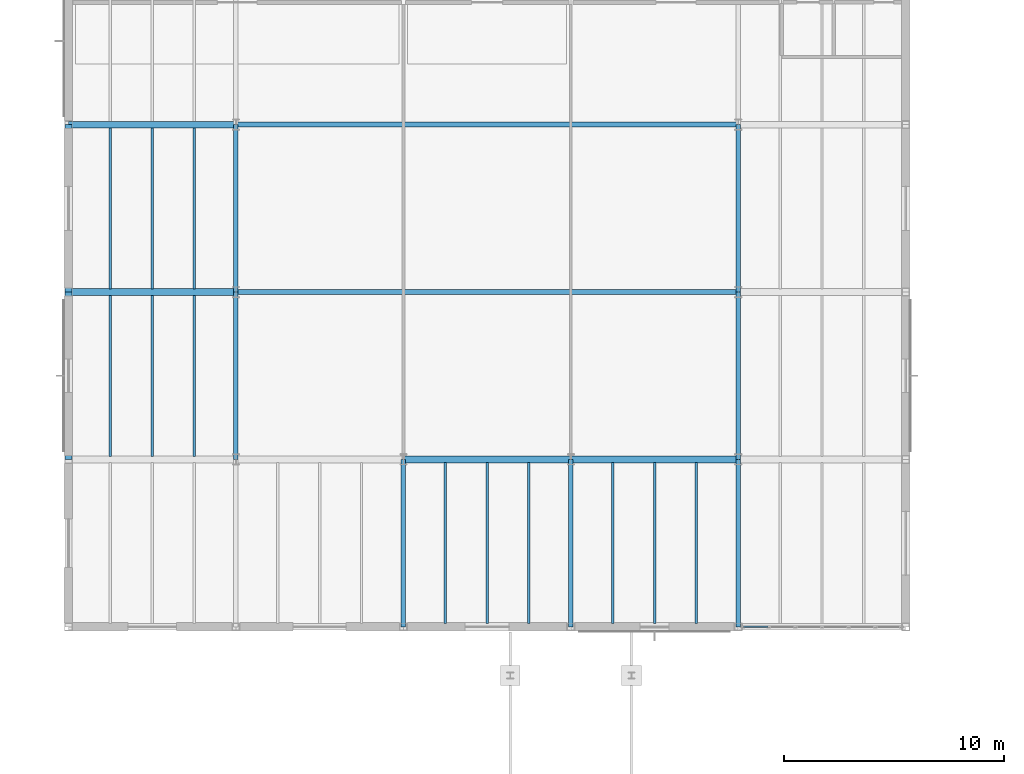
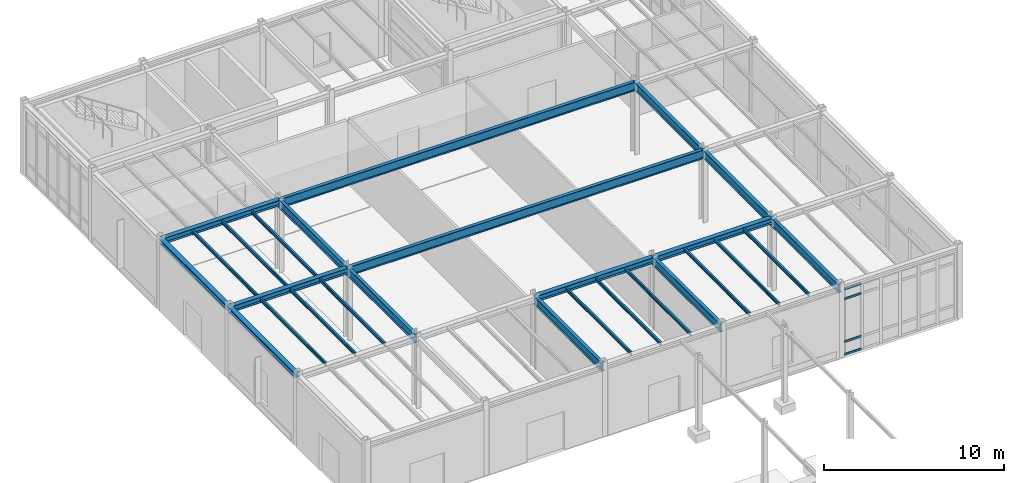
# One storey, part 48 of 109: 27 beams, 4 members, 1 element without a shape of its own.
"""IFC4 building model written with IfcOpenShell, lengths in metres."""

from ifc_helpers import new_model, si_unit, direction, frame, origin, origin_2d, place, context, subcontext, project, spatial, hollow_rectangle, i_section, extrude, material, layer, layer_set, material_profile, profile_set, type_object, element, aggregate, save


model = new_model("IFC4")

# Units and contexts
model_context = context("Model", 3, precision=1e-05, world=origin(), true_north=direction((0.0, 1.0)))
body_context = subcontext(model_context, "Body", "Model", "MODEL_VIEW")
ifc_project = project(units=[si_unit("LENGTHUNIT", "METRE"), si_unit("AREAUNIT", "SQUARE_METRE"), si_unit("VOLUMEUNIT", "CUBIC_METRE"), si_unit("PLANEANGLEUNIT", "RADIAN"), si_unit("MASSUNIT", "GRAM", prefix="KILO")], contexts=[model_context])

# Site, building, storey
site_placement = place(None, origin())
site = spatial("IfcSite", under=ifc_project, at=site_placement, CompositionType="ELEMENT")
building_placement = place(site_placement, origin())
building = spatial("IfcBuilding", under=site, at=building_placement, Name="Montecoro Central Library", CompositionType="ELEMENT")
storey_placement = place(building_placement, origin())
storey = spatial("IfcBuildingStorey", under=building, at=storey_placement, Name="L00", CompositionType="ELEMENT", Elevation=0.0)

# Beams
ifc_material_1 = material(Name="Steel S355", Category="steel")
ifc_material_profile_1 = material_profile(ifc_material_1, i_section(OverallWidth=0.300048828125, OverallDepth=0.389892578125, WebThickness=0.010986328125, FlangeThickness=0.01904296875, at=origin_2d()), Name="HEA 400")
ifc_profile_set_1 = profile_set([ifc_material_profile_1], Name="Steel S355")
beam_type_1 = type_object("IfcBeamType", Name="BM-G-HEA400", PredefinedType="USERDEFINED", material=ifc_profile_set_1)
beam_placement = place(storey_placement, frame((20.205078125, 81.0, 4.64990234375), z_axis=(1.0, 0.0, 0.0), x_axis=(0.0, 1.0, 0.0)))
element("IfcBeam", 1, at=beam_placement, inside=storey, type_object=beam_type_1, Name="V4-L00-BX-34-L", ObjectType="GIRDER", PredefinedType="USERDEFINED", context=body_context, shape_type="SweptSolid", body=[
    extrude(i_section(OverallWidth=0.300048828125, OverallDepth=0.389892578125, WebThickness=0.010986328125, FlangeThickness=0.01904296875, at=origin_2d()), origin(), (0.0, 0.0, 1.0), 7.58984375),
])
for number, where, z_axis, x_axis, name in (
    (2, (27.804931640625, 81.0, 4.64990234375), (1.0, 0.0, 0.0), (0.0, 1.0, 0.0), "V4-L00-BX-45-L"),
    (3, (5.0048828125, 88.60009765625, 4.64990234375), (1.0, 0.0, 0.0), (0.0, 1.0, 0.0), "V4-L00-BX-12-M"),
    (4, (5.0048828125, 96.199951171875, 4.64990234375), (1.0, 0.0, 0.0), (0.0, 1.0, 0.0), "V4-L00-BX-12-N"),
):
    element("IfcBeam", number, at=place(storey_placement, frame(where, z_axis=z_axis, x_axis=x_axis)), inside=storey, type_object=beam_type_1, Name=name, ObjectType="GIRDER", PredefinedType="USERDEFINED", context=body_context, shape_type="SweptSolid", body=[
        extrude(i_section(OverallWidth=0.300048828125, OverallDepth=0.389892578125, WebThickness=0.010986328125, FlangeThickness=0.01904296875, at=origin_2d()), origin(), (0.0, 0.0, 1.0), 7.590087890625),
    ])
ifc_material_2 = material(Name="Steel S355J2", Category="steel")
ifc_material_profile_2 = material_profile(ifc_material_2, i_section(OverallWidth=0.2099609375, OverallDepth=0.550048828125, WebThickness=0.010986328125, FlangeThickness=0.01708984375, at=origin_2d()), Name="IPE 550")
ifc_profile_set_2 = profile_set([ifc_material_profile_2], Name="Steel S355J2")
beam_type_2 = type_object("IfcBeamType", Name="BM-G-IPE550", PredefinedType="USERDEFINED", material=ifc_profile_set_2)
for number, where, z_axis, x_axis, name in (
    (5, (12.60009765625, 81.0048828125, 4.570068359375), (0.0, 1.0, 0.0), (-1.0, 0.0, 0.0), "V4-L00-BY-2-LM"),
    (6, (12.60009765625, 88.60498046875, 4.570068359375), (0.0, 1.0, 0.0), (-1.0, 0.0, 0.0), "V4-L00-BY-2-MN"),
    (7, (20.199951171875, 73.405029296875, 4.570068359375), (0.0, 1.0, 0.0), (-1.0, 0.0, 0.0), "V4-L00-BY-3-KL"),
    (8, (27.800048828125, 73.405029296875, 4.570068359375), (0.0, 1.0, 0.0), (-1.0, 0.0, 0.0), "V4-L00-BY-4-KL"),
    (9, (35.39990234375, 73.405029296875, 4.570068359375), (0.0, 1.0, 0.0), (-1.0, 0.0, 0.0), "V4-L00-BY-5-KL"),
    (10, (35.39990234375, 81.0048828125, 4.570068359375), (0.0, 1.0, 0.0), (-1.0, 0.0, 0.0), "V4-L00-BY-5-LM"),
    (11, (35.39990234375, 88.60498046875, 4.570068359375), (0.0, 1.0, 0.0), (-1.0, 0.0, 0.0), "V4-L00-BY-5-MN"),
):
    element("IfcBeam", number, at=place(storey_placement, frame(where, z_axis=z_axis, x_axis=x_axis)), inside=storey, type_object=beam_type_2, Name=name, ObjectType="GIRDER", PredefinedType="USERDEFINED", context=body_context, shape_type="SweptSolid", body=[
        extrude(i_section(OverallWidth=0.2099609375, OverallDepth=0.550048828125, WebThickness=0.010986328125, FlangeThickness=0.01708984375, at=origin_2d()), origin(), (0.0, 0.0, 1.0), 7.590087890625),
    ])
ifc_material_profile_3 = material_profile(ifc_material_2, i_section(OverallWidth=0.219970703125, OverallDepth=0.60009765625, WebThickness=0.011962890625, FlangeThickness=0.01904296875, at=origin_2d()), Name="IPE 600")
ifc_profile_set_3 = profile_set([ifc_material_profile_3], Name="Steel S355J2")
beam_type_3 = type_object("IfcBeamType", Name="BM-G-IPE600", PredefinedType="USERDEFINED", material=ifc_profile_set_3)
for number, where, z_axis, x_axis, name in (
    (12, (12.60498046875, 88.60009765625, 4.544921875), (1.0, 0.0, 0.0), (0.0, 1.0, 0.0), "V4-L00-AUDG-M"),
    (13, (12.60498046875, 96.199951171875, 4.544921875), (1.0, 0.0, 0.0), (0.0, 1.0, 0.0), "V4-L00-AUDG-N"),
):
    element("IfcBeam", number, at=place(storey_placement, frame(where, z_axis=z_axis, x_axis=x_axis)), inside=storey, type_object=beam_type_3, Name=name, ObjectType="GIRDER", PredefinedType="USERDEFINED", context=body_context, shape_type="SweptSolid", body=[
        extrude(i_section(OverallWidth=0.219970703125, OverallDepth=0.60009765625, WebThickness=0.011962890625, FlangeThickness=0.01904296875, at=origin_2d()), origin(), (0.0, 0.0, 1.0), 22.7900390625),
    ])
ifc_material_profile_4 = material_profile(ifc_material_1, i_section(OverallWidth=0.110107421875, OverallDepth=0.219970703125, WebThickness=0.005859375, FlangeThickness=0.00927734375, at=origin_2d()), Name="IPE 220")
ifc_profile_set_4 = profile_set([ifc_material_profile_4], Name="Steel S355")
beam_type_4 = type_object("IfcBeamType", Name="BM-J-IPE220", PredefinedType="JOIST", material=ifc_profile_set_4)
for number, where, z_axis, x_axis, name in (
    (14, (6.89990234375, 81.14697265625, 4.735107421875), (0.0, 1.0, 0.0), (-1.0, 0.0, 0.0), "V4-L00-JS-12-LM-1"),
    (15, (8.800048828125, 81.14697265625, 4.735107421875), (0.0, 1.0, 0.0), (-1.0, 0.0, 0.0), "V4-L00-JS-12-LM-2"),
    (16, (10.699951171875, 81.14697265625, 4.735107421875), (0.0, 1.0, 0.0), (-1.0, 0.0, 0.0), "V4-L00-JS-12-LM-3"),
    (17, (6.89990234375, 88.7470703125, 4.735107421875), (0.0, 1.0, 0.0), (-1.0, 0.0, 0.0), "V4-L00-JS-12-MN-1"),
    (18, (8.800048828125, 88.7470703125, 4.735107421875), (0.0, 1.0, 0.0), (-1.0, 0.0, 0.0), "V4-L00-JS-12-MN-2"),
    (19, (10.699951171875, 88.7470703125, 4.735107421875), (0.0, 1.0, 0.0), (-1.0, 0.0, 0.0), "V4-L00-JS-12-MN-3"),
    (20, (22.10009765625, 73.547119140625, 4.735107421875), (0.0, 1.0, 0.0), (-1.0, 0.0, 0.0), "V4-L00-JS-34-KL-1"),
    (21, (24.0, 73.547119140625, 4.735107421875), (0.0, 1.0, 0.0), (-1.0, 0.0, 0.0), "V4-L00-JS-34-KL-2"),
    (22, (25.89990234375, 73.547119140625, 4.735107421875), (0.0, 1.0, 0.0), (-1.0, 0.0, 0.0), "V4-L00-JS-34-KL-3"),
    (23, (29.699951171875, 73.547119140625, 4.735107421875), (0.0, 1.0, 0.0), (-1.0, 0.0, 0.0), "V4-L00-JS-45-KL-1"),
    (24, (31.60009765625, 73.547119140625, 4.735107421875), (0.0, 1.0, 0.0), (-1.0, 0.0, 0.0), "V4-L00-JS-45-KL-2"),
    (25, (33.5, 73.547119140625, 4.735107421875), (0.0, 1.0, 0.0), (-1.0, 0.0, 0.0), "V4-L00-JS-45-KL-3"),
):
    element("IfcBeam", number, at=place(storey_placement, frame(where, z_axis=z_axis, x_axis=x_axis)), inside=storey, type_object=beam_type_4, Name=name, PredefinedType="JOIST", context=body_context, shape_type="SweptSolid", body=[
        extrude(i_section(OverallWidth=0.110107421875, OverallDepth=0.219970703125, WebThickness=0.005859375, FlangeThickness=0.00927734375, at=origin_2d()), origin(), (0.0, 0.0, 1.0), 7.305908203125),
    ])
ifc_material_profile_5 = material_profile(ifc_material_1, i_section(OverallWidth=0.300048828125, OverallDepth=0.2900390625, WebThickness=0.008544921875, FlangeThickness=0.013916015625, at=origin_2d()), Name="HEA 300")
ifc_profile_set_5 = profile_set([ifc_material_profile_5], Name="Steel S355")
beam_type_5 = type_object("IfcBeamType", Name="BM-SP-HEA300", PredefinedType="SPANDREL", material=ifc_profile_set_5)
for number, where, z_axis, x_axis, name in (
    (26, (5.0, 81.0048828125, 4.699951171875), (0.0, 1.0, 0.0), (-1.0, 0.0, 0.0), "V4-L00-BY-1-LM"),
    (27, (5.0, 88.60498046875, 4.699951171875), (0.0, 1.0, 0.0), (-1.0, 0.0, 0.0), "V4-L00-BY-1-MN"),
):
    element("IfcBeam", number, at=place(storey_placement, frame(where, z_axis=z_axis, x_axis=x_axis)), inside=storey, type_object=beam_type_5, Name=name, PredefinedType="SPANDREL", context=body_context, shape_type="SweptSolid", body=[
        extrude(i_section(OverallWidth=0.300048828125, OverallDepth=0.2900390625, WebThickness=0.008544921875, FlangeThickness=0.013916015625, at=origin_2d()), origin(), (0.0, 0.0, 1.0), 7.590087890625),
    ])

# Curtain wall, members
ifc_material_3 = material(Name="Bronze-anodised aluminium and low-E glazing", Category="aluminium")
ifc_layer = layer(ifc_material_3, 0.159912109375)
ifc_layer_set = layer_set([ifc_layer], Name="Bronze-anodised aluminium and low-E glazing")
curtain_wall_type = type_object("IfcCurtainWallType", Name="CWT-038", PredefinedType="NOTDEFINED", material=ifc_layer_set)
curtain_wall_placement = place(storey_placement, origin())
curtain_wall = element("IfcCurtainWall", 28, at=curtain_wall_placement, inside=storey, type_object=curtain_wall_type, Name="V4-L00-CW-S4", PredefinedType="NOTDEFINED")
ifc_material_4 = material(Name="Bronze-anodised aluminium", Category="aluminium")
ifc_material_profile_6 = material_profile(ifc_material_4, hollow_rectangle(XDim=0.070068359375, YDim=0.139892578125, WallThickness=0.00390625, at=origin_2d()), Name="CWT 140x70x4.0")
ifc_profile_set_6 = profile_set([ifc_material_profile_6], Name="Bronze-anodised aluminium")
member_type = type_object("IfcMemberType", Name="CWT-BRZ-70", PredefinedType="USERDEFINED", material=ifc_profile_set_6)
member_1_placement = place(storey_placement, frame((35.64794921875, 73.39990234375, 0.034912109375), z_axis=(1.0, 0.0, 0.0), x_axis=(0.0, 1.0, 0.0)))
member_1 = element("IfcMember", 29, at=member_1_placement, type_object=member_type, Name="CW-038 transom 1.1", ObjectType="TRANSOM", PredefinedType="USERDEFINED", context=body_context, shape_type="SweptSolid", body=[
    extrude(hollow_rectangle(XDim=0.070068359375, YDim=0.139892578125, WallThickness=0.00390625, at=origin_2d()), origin(), (0.0, 0.0, 1.0), 1.102294921875),
])
member_2_placement = place(storey_placement, frame((35.64794921875, 73.39990234375, 0.89990234375), z_axis=(1.0, 0.0, 0.0), x_axis=(0.0, 1.0, 0.0)))
member_2 = element("IfcMember", 30, at=member_2_placement, type_object=member_type, Name="CW-038 transom 1.2", ObjectType="TRANSOM", PredefinedType="USERDEFINED", context=body_context, shape_type="SweptSolid", body=[
    extrude(hollow_rectangle(XDim=0.070068359375, YDim=0.139892578125, WallThickness=0.00390625, at=origin_2d()), origin(), (0.0, 0.0, 1.0), 1.102294921875),
])
member_3_placement = place(storey_placement, frame((35.64794921875, 73.39990234375, 3.800048828125), z_axis=(1.0, 0.0, 0.0), x_axis=(0.0, 1.0, 0.0)))
member_3 = element("IfcMember", 31, at=member_3_placement, type_object=member_type, Name="CW-038 transom 1.3", ObjectType="TRANSOM", PredefinedType="USERDEFINED", context=body_context, shape_type="SweptSolid", body=[
    extrude(hollow_rectangle(XDim=0.070068359375, YDim=0.139892578125, WallThickness=0.00390625, at=origin_2d()), origin(), (0.0, 0.0, 1.0), 1.102294921875),
])
member_4_placement = place(storey_placement, frame((35.64794921875, 73.39990234375, 4.465087890625), z_axis=(1.0, 0.0, 0.0), x_axis=(0.0, 1.0, 0.0)))
member_4 = element("IfcMember", 32, at=member_4_placement, type_object=member_type, Name="CW-038 transom 1.4", ObjectType="TRANSOM", PredefinedType="USERDEFINED", context=body_context, shape_type="SweptSolid", body=[
    extrude(hollow_rectangle(XDim=0.070068359375, YDim=0.139892578125, WallThickness=0.00390625, at=origin_2d()), origin(), (0.0, 0.0, 1.0), 1.102294921875),
])
aggregate(curtain_wall, [member_1, member_2, member_3, member_4])

save(model, "model.ifc")
